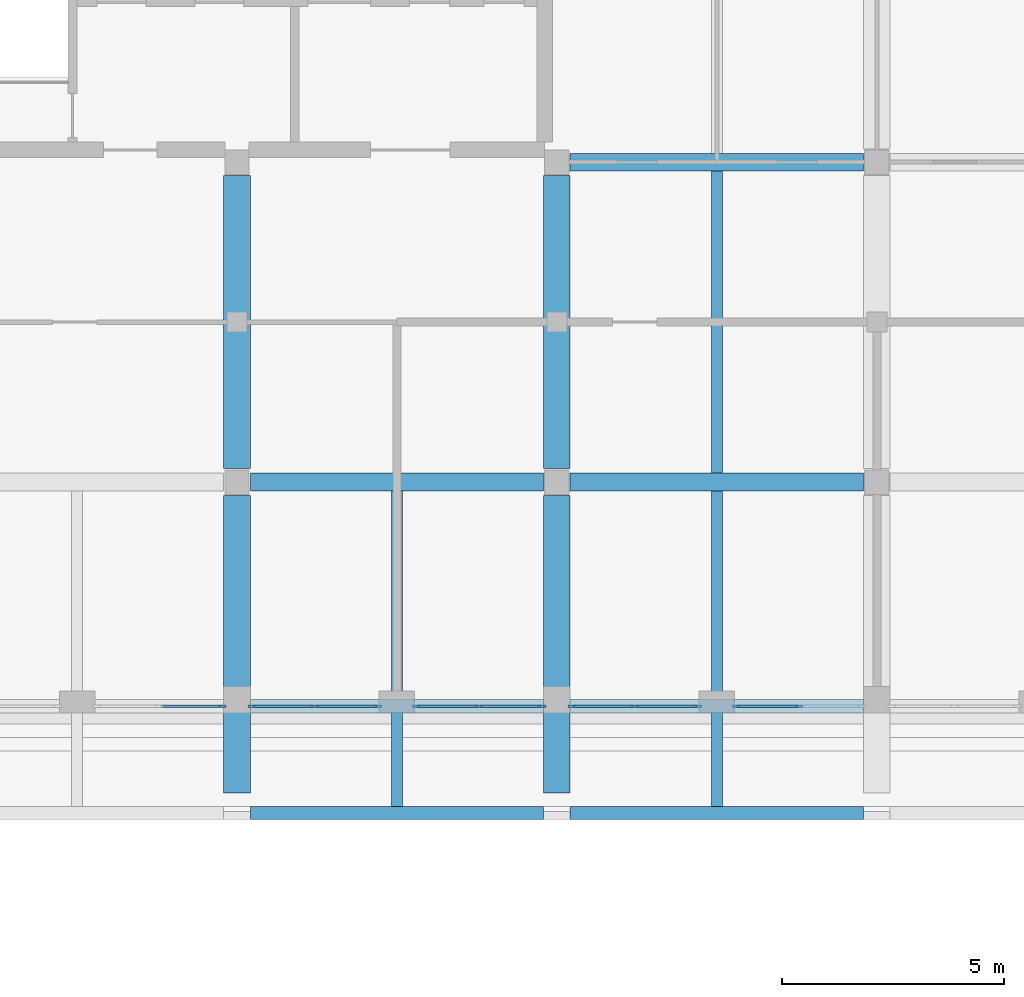
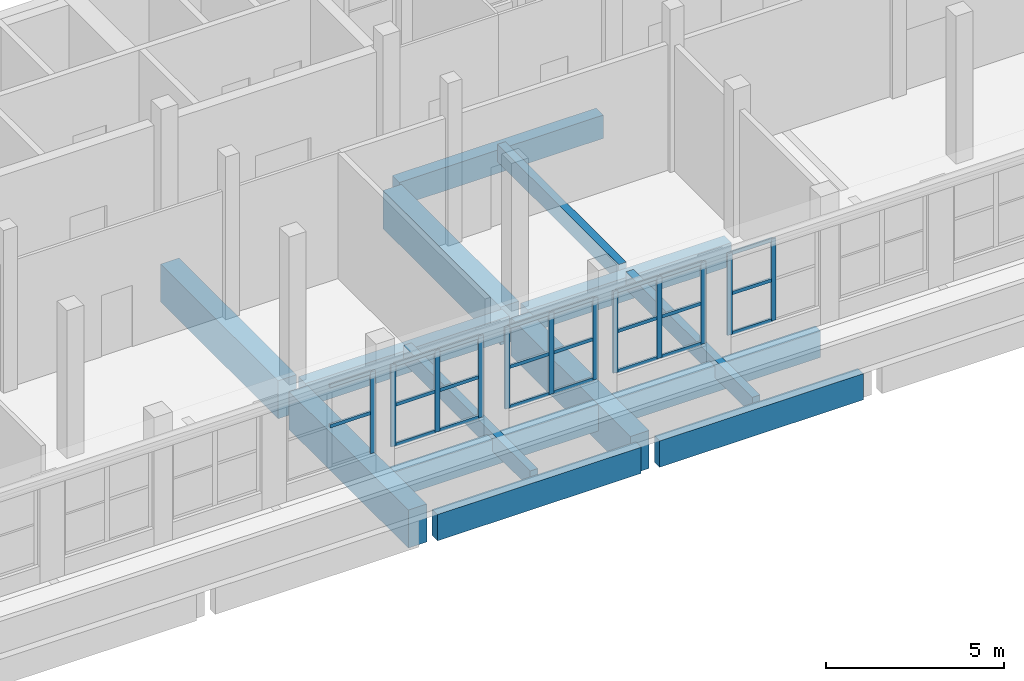
# One storey, part 6 of 30: 35 members, 14 beams, 5 elements without a shape of their own.
"""IFC4 building model written with IfcOpenShell, lengths in metres."""

import ifcopenshell
import ifcopenshell.guid

model = None  # the IFC model being written
_history = None  # IfcOwnerHistory: only IFC2X3 demands one
_inside = {}  # id of a spatial element -> (the spatial element, [elements in it])
_under = {}  # id of a project, library or spatial element -> (it, [spatial elements below it])
_declared = {}  # id of a project -> (the project, [libraries it declares])
_typed = {}  # id of a type object -> (the type object, [elements of that type])
_made_of = {}  # id of a material, layer set ... -> (it, [elements and type objects made of it])


def new_model(schema):
    """Start an empty IFC model of exactly this schema.

    Asked for "IFC4X3", IfcOpenShell would pick the latest addendum, in which some entities
    have other attributes; the version numbers below select the first issue.
    IFC2X3 requires an IfcOwnerHistory on every rooted entity: one is made here for all.
    """
    global model, _history
    if schema == "IFC4X3":
        model = ifcopenshell.file(schema_version=(4, 3, 0, 0))
    else:
        model = ifcopenshell.file(schema=schema)
    _inside.clear()
    _under.clear()
    _declared.clear()
    _typed.clear()
    _made_of.clear()
    _history = None
    if model.schema == "IFC2X3":
        org = make("IfcOrganization", Name="unknown")
        user = make(
            "IfcPersonAndOrganization",
            ThePerson=make("IfcPerson", FamilyName="unknown"),
            TheOrganization=org,
        )
        app = make(
            "IfcApplication",
            ApplicationDeveloper=org,
            Version="unknown",
            ApplicationFullName="unknown",
            ApplicationIdentifier="unknown",
        )
        _history = make(
            "IfcOwnerHistory",
            OwningUser=user,
            OwningApplication=app,
            ChangeAction="ADDED",
            CreationDate=0,
        )
    return model


def make(cls, **values):
    """One entity of the class cls with the attributes given. An attribute that is None is left unset."""
    return model.create_entity(
        cls, **{name: value for name, value in values.items() if value is not None}
    )


def rooted(cls, **values):
    """An entity with a GlobalId (a new one), such as an element, a storey or a relation."""
    return make(cls, GlobalId=ifcopenshell.guid.new(), OwnerHistory=_history, **values)


def si_unit(unit_type, name, prefix=None):
    """IfcSIUnit, for example si_unit("LENGTHUNIT", "METRE", prefix="MILLI")."""
    return make("IfcSIUnit", UnitType=unit_type, Prefix=prefix, Name=name)


def assignment(units):
    """IfcUnitAssignment: the units of a project."""
    return None if units is None else make("IfcUnitAssignment", Units=units)


def point(xyz):
    """IfcCartesianPoint."""
    return None if xyz is None else make("IfcCartesianPoint", Coordinates=xyz)


def direction(xyz):
    """IfcDirection."""
    return None if xyz is None else make("IfcDirection", DirectionRatios=xyz)


def frame(location, z_axis=None, x_axis=None):
    """IfcAxis2Placement3D, a coordinate frame: its origin and axes. An axis left out is left unset."""
    return make(
        "IfcAxis2Placement3D",
        Location=point(location),
        Axis=direction(z_axis),
        RefDirection=direction(x_axis),
    )


def frame_2d(location, x_axis=None):
    """IfcAxis2Placement2D, a coordinate frame in the plane: its origin and x axis."""
    return make(
        "IfcAxis2Placement2D", Location=point(location), RefDirection=direction(x_axis)
    )


def origin():
    """The frame at (0, 0, 0) with its axes left unset."""
    return frame((0.0, 0.0, 0.0))


def origin_2d():
    """The frame at (0, 0) in the plane with its x axis left unset."""
    return frame_2d((0.0, 0.0))


def place(relative_to, where):
    """IfcLocalPlacement: puts the frame where relative to a parent placement (None: the world)."""
    return make(
        "IfcLocalPlacement", PlacementRelTo=relative_to, RelativePlacement=where
    )


def context(
    kind, dimensions, precision=None, world=None, true_north=None, identifier=None
):
    """IfcGeometricRepresentationContext, for example the 3D "Model" context."""
    return make(
        "IfcGeometricRepresentationContext",
        ContextIdentifier=identifier,
        ContextType=kind,
        CoordinateSpaceDimension=dimensions,
        Precision=precision,
        WorldCoordinateSystem=world,
        TrueNorth=true_north,
    )


def subcontext(parent, identifier, kind, view, scale=None):
    """IfcGeometricRepresentationSubContext, for example "Body" below "Model"."""
    return make(
        "IfcGeometricRepresentationSubContext",
        ContextIdentifier=identifier,
        ContextType=kind,
        ParentContext=parent,
        TargetScale=scale,
        TargetView=view,
    )


def project(units=None, contexts=None):
    """IfcProject with its units and contexts."""
    return rooted(
        "IfcProject",
        Name="project",
        RepresentationContexts=contexts,
        UnitsInContext=assignment(units),
    )


def spatial(cls, under=None, at=None, **own):
    """A site, building, storey or space (cls), placed at a placement, below another one or the project."""
    s = rooted(cls, ObjectPlacement=at, **own)
    if under is not None:
        _under.setdefault(under.id(), (under, []))[1].append(s)
    return s


def profile(cls, at=None, kind="AREA", **sizes):
    """A parametric profile (cls). Its sizes go by their IFC names, for example OverallWidth=200.0."""
    return make(cls, ProfileType=kind, Position=at, **sizes)


def rectangle(**sizes):
    """IfcRectangleProfileDef."""
    return profile("IfcRectangleProfileDef", **sizes)


def extrude(swept, where, along, depth):
    """IfcExtrudedAreaSolid: the profile swept, set in the frame where, extruded along a direction by depth."""
    return make(
        "IfcExtrudedAreaSolid",
        SweptArea=swept,
        Position=where,
        ExtrudedDirection=direction(along),
        Depth=depth,
    )


def shape(context_of_items, identifier, shape_type, items):
    """IfcShapeRepresentation: the items that make up one representation, for example the "Body"."""
    return make(
        "IfcShapeRepresentation",
        ContextOfItems=context_of_items,
        RepresentationIdentifier=identifier,
        RepresentationType=shape_type,
        Items=items,
    )


def material(Name=None, Category=None):
    """IfcMaterial."""
    return make("IfcMaterial", Name=Name, Category=Category)


def layer(
    of_material, thickness, ventilated=None, Name=None, Category=None, Priority=None
):
    """IfcMaterialLayer: one layer of a wall or slab, of a material (None: an air gap)."""
    return make(
        "IfcMaterialLayer",
        Material=of_material,
        LayerThickness=thickness,
        IsVentilated=ventilated,
        Name=Name,
        Category=Category,
        Priority=Priority,
    )


def layer_set(layers, Name=None):
    """IfcMaterialLayerSet."""
    return make("IfcMaterialLayerSet", MaterialLayers=layers, LayerSetName=Name)


def material_profile(
    of_material, cross_section, Name=None, Category=None, Priority=None
):
    """IfcMaterialProfile: a cross section and its material."""
    return make(
        "IfcMaterialProfile",
        Name=Name,
        Material=of_material,
        Profile=cross_section,
        Priority=Priority,
        Category=Category,
    )


def profile_set(profiles, Name=None, composite=None):
    """IfcMaterialProfileSet."""
    return make(
        "IfcMaterialProfileSet",
        Name=Name,
        MaterialProfiles=profiles,
        CompositeProfile=composite,
    )


def made_of(thing, what):
    """Note that an element or type object is made of a material, layer set ...; save() writes the relation."""
    if what is not None:
        _made_of.setdefault(what.id(), (what, []))[1].append(thing)
    return thing


def type_object(cls, material=None, **own):
    """A type object (cls), such as IfcWallType, which elements share."""
    return made_of(rooted(cls, **own), material)


def element(
    cls,
    number,
    at=None,
    inside=None,
    cuts=None,
    type_object=None,
    material=None,
    context=None,
    identifier="Body",
    shape_type=None,
    held_by="IfcProductDefinitionShape",
    body=None,
    shapes=None,
    **own,
):
    """One element of the class cls, such as IfcWall. Its Tag is "e" and its number.

    at: its placement. inside: the storey or other place that contains it. cuts: it is an
    opening in that element (IfcRelVoidsElement). A single representation is given by context,
    identifier, shape_type and body (its items); several are given by shapes. held_by: the class
    of the entity that holds the representations. save() writes the other relations.
    """
    e = rooted(cls, Tag="e%d" % number, ObjectPlacement=at, **own)
    if body is not None:
        shapes = [shape(context, identifier, shape_type, body)]
    if shapes is not None:
        e.Representation = make(held_by, Representations=shapes)
    if inside is not None:
        _inside.setdefault(inside.id(), (inside, []))[1].append(e)
    if cuts is not None:
        rooted(
            "IfcRelVoidsElement", RelatingBuildingElement=cuts, RelatedOpeningElement=e
        )
    if type_object is not None:
        _typed.setdefault(type_object.id(), (type_object, []))[1].append(e)
    return made_of(e, material)


def aggregate(whole, parts):
    """IfcRelAggregates: a whole, such as a stair, and the parts it consists of."""
    return rooted("IfcRelAggregates", RelatingObject=whole, RelatedObjects=parts)


def save(model, path):
    """Write the relations noted so far, then the file.

    IfcRelAggregates (storeys below a building ...), IfcRelContainedInSpatialStructure (elements
    in a storey), IfcRelDefinesByType, IfcRelAssociatesMaterial and IfcRelDeclares: one each for
    every whole, place, type object, material and project.
    """
    for whole, parts in _under.values():
        aggregate(whole, parts)
    for where, things in _inside.values():
        rooted(
            "IfcRelContainedInSpatialStructure",
            RelatedElements=things,
            RelatingStructure=where,
        )
    for kind, things in _typed.values():
        rooted("IfcRelDefinesByType", RelatedObjects=things, RelatingType=kind)
    for what, things in _made_of.values():
        rooted("IfcRelAssociatesMaterial", RelatedObjects=things, RelatingMaterial=what)
    for by, libraries in _declared.values():
        rooted("IfcRelDeclares", RelatingContext=by, RelatedDefinitions=libraries)
    model.write(path)


model = new_model("IFC4")

# Units and contexts
model_context = context("Model", 3, precision=1e-05, world=origin(), true_north=direction((0.0, 1.0)))
body_context = subcontext(model_context, "Body", "Model", "MODEL_VIEW")
ifc_project = project(units=[si_unit("LENGTHUNIT", "METRE"), si_unit("AREAUNIT", "SQUARE_METRE"), si_unit("VOLUMEUNIT", "CUBIC_METRE"), si_unit("PLANEANGLEUNIT", "RADIAN"), si_unit("MASSUNIT", "GRAM", prefix="KILO")], contexts=[model_context])

# Site, building, storey
site_placement = place(None, origin())
site = spatial("IfcSite", under=ifc_project, at=site_placement, CompositionType="ELEMENT")
building_placement = place(site_placement, origin())
building = spatial("IfcBuilding", under=site, at=building_placement, Name="Ussher Court Research Institute", CompositionType="ELEMENT")
storey_placement = place(building_placement, frame((0.0, 0.0, 27.89990234375)))
storey = spatial("IfcBuildingStorey", under=building, at=storey_placement, Name="L06", CompositionType="ELEMENT", Elevation=27.89990234375)

# Curtain wall, members
ifc_material_1 = material(Name="Bronze anodised aluminium with insulated low-e glass", Category="aluminium")
ifc_layer = layer(ifc_material_1, 0.1201171875)
ifc_layer_set = layer_set([ifc_layer], Name="Bronze anodised aluminium with insulated low-e glass")
curtain_wall_type = type_object("IfcCurtainWallType", Name="Curtain wall attic gallery glazing", PredefinedType="NOTDEFINED", material=ifc_layer_set)
curtain_wall_1_placement = place(storey_placement, origin())
curtain_wall_1 = element("IfcCurtainWall", 1, at=curtain_wall_1_placement, inside=storey, type_object=curtain_wall_type, Name="Curtain wall CW11 L06", PredefinedType="NOTDEFINED")
ifc_material_2 = material(Name="Bronze anodised aluminium", Category="aluminium")
ifc_material_profile_1 = material_profile(ifc_material_2, rectangle(XDim=0.06005859375, YDim=0.159912109375, at=origin_2d()), Name="Mullion 60x160")
ifc_profile_set_1 = profile_set([ifc_material_profile_1], Name="Bronze anodised aluminium")
member_type_1 = type_object("IfcMemberType", Name="Mullion 60x160", PredefinedType="MULLION", material=ifc_profile_set_1)
member_1_placement = place(storey_placement, frame((66.050048828125, 70.949951171875, 0.60009765625), z_axis=(0.0, 0.0, 1.0), x_axis=(0.0, -1.0, 0.0)))
member_1 = element("IfcMember", 2, at=member_1_placement, type_object=member_type_1, Name="CW11 mullion 2", PredefinedType="MULLION", context=body_context, shape_type="SweptSolid", body=[
    extrude(rectangle(XDim=0.06005859375, YDim=0.159912109375, at=origin_2d()), origin(), (0.0, 0.0, 1.0), 2.800048828125),
])
member_2_placement = place(storey_placement, frame((64.6298828125, 70.949951171875, 0.60009765625), z_axis=(0.0, 0.0, 1.0), x_axis=(0.0, -1.0, 0.0)))
member_2 = element("IfcMember", 3, at=member_2_placement, type_object=member_type_1, Name="CW11 mullion 3", PredefinedType="MULLION", context=body_context, shape_type="SweptSolid", body=[
    extrude(rectangle(XDim=0.06005859375, YDim=0.159912109375, at=origin_2d()), origin(), (0.0, 0.0, 1.0), 2.800048828125),
])

curtain_wall_2_placement = place(storey_placement, origin())
curtain_wall_2 = element("IfcCurtainWall", 4, at=curtain_wall_2_placement, inside=storey, type_object=curtain_wall_type, Name="Curtain wall CW11 L06", PredefinedType="NOTDEFINED")
member_3_placement = place(storey_placement, frame((63.77001953125, 70.949951171875, 0.60009765625), z_axis=(0.0, 0.0, 1.0), x_axis=(0.0, -1.0, 0.0)))
member_3 = element("IfcMember", 5, at=member_3_placement, type_object=member_type_1, Name="CW11 mullion 1", PredefinedType="MULLION", context=body_context, shape_type="SweptSolid", body=[
    extrude(rectangle(XDim=0.06005859375, YDim=0.159912109375, at=origin_2d()), origin(), (0.0, 0.0, 1.0), 2.800048828125),
])
member_4_placement = place(storey_placement, frame((62.35009765625, 70.949951171875, 0.60009765625), z_axis=(0.0, 0.0, 1.0), x_axis=(0.0, -1.0, 0.0)))
member_4 = element("IfcMember", 6, at=member_4_placement, type_object=member_type_1, Name="CW11 mullion 2", PredefinedType="MULLION", context=body_context, shape_type="SweptSolid", body=[
    extrude(rectangle(XDim=0.06005859375, YDim=0.159912109375, at=origin_2d()), origin(), (0.0, 0.0, 1.0), 2.800048828125),
])
member_5_placement = place(storey_placement, frame((60.929931640625, 70.949951171875, 0.60009765625), z_axis=(0.0, 0.0, 1.0), x_axis=(0.0, -1.0, 0.0)))
member_5 = element("IfcMember", 7, at=member_5_placement, type_object=member_type_1, Name="CW11 mullion 3", PredefinedType="MULLION", context=body_context, shape_type="SweptSolid", body=[
    extrude(rectangle(XDim=0.06005859375, YDim=0.159912109375, at=origin_2d()), origin(), (0.0, 0.0, 1.0), 2.800048828125),
])

curtain_wall_3_placement = place(storey_placement, origin())
curtain_wall_3 = element("IfcCurtainWall", 8, at=curtain_wall_3_placement, inside=storey, type_object=curtain_wall_type, Name="Curtain wall CW11 L06", PredefinedType="NOTDEFINED")
member_6_placement = place(storey_placement, frame((60.27001953125, 70.949951171875, 0.60009765625), z_axis=(0.0, 0.0, 1.0), x_axis=(0.0, -1.0, 0.0)))
member_6 = element("IfcMember", 9, at=member_6_placement, type_object=member_type_1, Name="CW11 mullion 1", PredefinedType="MULLION", context=body_context, shape_type="SweptSolid", body=[
    extrude(rectangle(XDim=0.06005859375, YDim=0.159912109375, at=origin_2d()), origin(), (0.0, 0.0, 1.0), 2.800048828125),
])
member_7_placement = place(storey_placement, frame((58.85009765625, 70.949951171875, 0.60009765625), z_axis=(0.0, 0.0, 1.0), x_axis=(0.0, -1.0, 0.0)))
member_7 = element("IfcMember", 10, at=member_7_placement, type_object=member_type_1, Name="CW11 mullion 2", PredefinedType="MULLION", context=body_context, shape_type="SweptSolid", body=[
    extrude(rectangle(XDim=0.06005859375, YDim=0.159912109375, at=origin_2d()), origin(), (0.0, 0.0, 1.0), 2.800048828125),
])
member_8_placement = place(storey_placement, frame((57.429931640625, 70.949951171875, 0.60009765625), z_axis=(0.0, 0.0, 1.0), x_axis=(0.0, -1.0, 0.0)))
member_8 = element("IfcMember", 11, at=member_8_placement, type_object=member_type_1, Name="CW11 mullion 3", PredefinedType="MULLION", context=body_context, shape_type="SweptSolid", body=[
    extrude(rectangle(XDim=0.06005859375, YDim=0.159912109375, at=origin_2d()), origin(), (0.0, 0.0, 1.0), 2.800048828125),
])

curtain_wall_4_placement = place(storey_placement, origin())
curtain_wall_4 = element("IfcCurtainWall", 12, at=curtain_wall_4_placement, inside=storey, type_object=curtain_wall_type, Name="Curtain wall CW11 L06", PredefinedType="NOTDEFINED")
member_9_placement = place(storey_placement, frame((56.570068359375, 70.949951171875, 0.60009765625), z_axis=(0.0, 0.0, 1.0), x_axis=(0.0, -1.0, 0.0)))
member_9 = element("IfcMember", 13, at=member_9_placement, type_object=member_type_1, Name="CW11 mullion 1", PredefinedType="MULLION", context=body_context, shape_type="SweptSolid", body=[
    extrude(rectangle(XDim=0.06005859375, YDim=0.159912109375, at=origin_2d()), origin(), (0.0, 0.0, 1.0), 2.800048828125),
])
member_10_placement = place(storey_placement, frame((55.14990234375, 70.949951171875, 0.60009765625), z_axis=(0.0, 0.0, 1.0), x_axis=(0.0, -1.0, 0.0)))
member_10 = element("IfcMember", 14, at=member_10_placement, type_object=member_type_1, Name="CW11 mullion 2", PredefinedType="MULLION", context=body_context, shape_type="SweptSolid", body=[
    extrude(rectangle(XDim=0.06005859375, YDim=0.159912109375, at=origin_2d()), origin(), (0.0, 0.0, 1.0), 2.800048828125),
])
member_11_placement = place(storey_placement, frame((53.72998046875, 70.949951171875, 0.60009765625), z_axis=(0.0, 0.0, 1.0), x_axis=(0.0, -1.0, 0.0)))
member_11 = element("IfcMember", 15, at=member_11_placement, type_object=member_type_1, Name="CW11 mullion 3", PredefinedType="MULLION", context=body_context, shape_type="SweptSolid", body=[
    extrude(rectangle(XDim=0.06005859375, YDim=0.159912109375, at=origin_2d()), origin(), (0.0, 0.0, 1.0), 2.800048828125),
])

# Curtain wall, member
curtain_wall_5_placement = place(storey_placement, origin())
curtain_wall_5 = element("IfcCurtainWall", 16, at=curtain_wall_5_placement, inside=storey, type_object=curtain_wall_type, Name="Curtain wall CW11 L06", PredefinedType="NOTDEFINED")
member_12_placement = place(storey_placement, frame((53.070068359375, 70.949951171875, 0.60009765625), z_axis=(0.0, 0.0, 1.0), x_axis=(0.0, -1.0, 0.0)))
member_12 = element("IfcMember", 17, at=member_12_placement, type_object=member_type_1, Name="CW11 mullion 1", PredefinedType="MULLION", context=body_context, shape_type="SweptSolid", body=[
    extrude(rectangle(XDim=0.06005859375, YDim=0.159912109375, at=origin_2d()), origin(), (0.0, 0.0, 1.0), 2.800048828125),
])

# Beams
ifc_material_3 = material(Name="Concrete C35/45", Category="concrete")
ifc_material_profile_2 = material_profile(ifc_material_3, rectangle(XDim=0.25, YDim=0.60009765625, at=origin_2d()), Name="RC 250x600")
ifc_profile_set_2 = profile_set([ifc_material_profile_2], Name="Concrete C35/45")
beam_type_1 = type_object("IfcBeamType", Name="RC 250x600 beam", PredefinedType="BEAM", material=ifc_profile_set_2)
for number, where, z_axis, x_axis, name in (
    (18, (57.0, 68.699951171875, -0.2998046875), (0.0, 1.0, 0.0), (-1.0, 0.0, 0.0), "B14 V5 L06-18"),
    (19, (64.199951171875, 68.699951171875, -0.2998046875), (0.0, 1.0, 0.0), (-1.0, 0.0, 0.0), "B14 V5 L06-19"),
):
    element("IfcBeam", number, at=place(storey_placement, frame(where, z_axis=z_axis, x_axis=x_axis)), inside=storey, type_object=beam_type_1, Name=name, PredefinedType="BEAM", context=body_context, shape_type="SweptSolid", body=[
        extrude(rectangle(XDim=0.25, YDim=0.60009765625, at=origin_2d()), origin(), (0.0, 0.0, 1.0), 7.10009765625),
    ])
beam_1_placement = place(storey_placement, frame((64.199951171875, 76.199951171875, -0.2998046875), z_axis=(0.0, 1.0, 0.0), x_axis=(-1.0, 0.0, 0.0)))
element("IfcBeam", 20, at=beam_1_placement, inside=storey, type_object=beam_type_1, Name="B14 V5 L06-20", PredefinedType="BEAM", context=body_context, shape_type="SweptSolid", body=[
    extrude(rectangle(XDim=0.25, YDim=0.60009765625, at=origin_2d()), origin(), (0.0, 0.0, 1.0), 6.800048828125),
])
ifc_material_4 = material(Name="Concrete C35/45", Category="concrete")
ifc_material_profile_3 = material_profile(ifc_material_4, rectangle(XDim=0.300048828125, YDim=0.89990234375, at=origin_2d()), Name="RC 300x900")
ifc_profile_set_3 = profile_set([ifc_material_profile_3], Name="Concrete C35/45")
beam_type_2 = type_object("IfcBeamType", Name="RC 300x900 beam", PredefinedType="BEAM", material=ifc_profile_set_3)
for number, where, z_axis, x_axis, name in (
    (21, (53.699951171875, 68.550048828125, -0.64990234375), (1.0, 0.0, 0.0), (0.0, 1.0, 0.0), "SB2 V5 L06-08"),
    (22, (60.89990234375, 68.550048828125, -0.64990234375), (1.0, 0.0, 0.0), (0.0, 1.0, 0.0), "SB2 V5 L06-09"),
    (23, (53.699951171875, 70.949951171875, -0.64990234375), (1.0, 0.0, 0.0), (0.0, 1.0, 0.0), "SB2 V5 L06-30"),
    (24, (60.89990234375, 70.949951171875, -0.64990234375), (1.0, 0.0, 0.0), (0.0, 1.0, 0.0), "SB2 V5 L06-31"),
):
    element("IfcBeam", number, at=place(storey_placement, frame(where, z_axis=z_axis, x_axis=x_axis)), inside=storey, type_object=beam_type_2, Name=name, PredefinedType="BEAM", context=body_context, shape_type="SweptSolid", body=[
        extrude(rectangle(XDim=0.300048828125, YDim=0.89990234375, at=origin_2d()), origin(), (0.0, 0.0, 1.0), 6.60009765625),
    ])
ifc_material_5 = material(Name="Concrete C35/45", Category="concrete")
ifc_material_profile_4 = material_profile(ifc_material_5, rectangle(XDim=0.39990234375, YDim=0.800048828125, at=origin_2d()), Name="RC 400x800")
ifc_profile_set_4 = profile_set([ifc_material_profile_4], Name="Concrete C35/45")
beam_type_3 = type_object("IfcBeamType", Name="RC 400x800 beam", PredefinedType="BEAM", material=ifc_profile_set_4)
for number, where, z_axis, x_axis, name in (
    (25, (53.699951171875, 76.0, -0.599853515625), (1.0, 0.0, 0.0), (0.0, 1.0, 0.0), "B17 V5 L06-08"),
    (26, (60.89990234375, 76.0, -0.599853515625), (1.0, 0.0, 0.0), (0.0, 1.0, 0.0), "B17 V5 L06-09"),
    (27, (60.89990234375, 83.199951171875, -0.599853515625), (1.0, 0.0, 0.0), (0.0, 1.0, 0.0), "B17 V5 L06-17"),
):
    element("IfcBeam", number, at=place(storey_placement, frame(where, z_axis=z_axis, x_axis=x_axis)), inside=storey, type_object=beam_type_3, Name=name, PredefinedType="BEAM", context=body_context, shape_type="SweptSolid", body=[
        extrude(rectangle(XDim=0.39990234375, YDim=0.800048828125, at=origin_2d()), origin(), (0.0, 0.0, 1.0), 6.60009765625),
    ])
ifc_material_6 = material(Name="Concrete C35/45", Category="concrete")
ifc_material_profile_5 = material_profile(ifc_material_6, rectangle(XDim=0.60009765625, YDim=1.300048828125, at=origin_2d()), Name="RC 600x1300")
ifc_profile_set_5 = profile_set([ifc_material_profile_5], Name="Concrete C35/45")
beam_type_4 = type_object("IfcBeamType", Name="RC 600x1300 beam", PredefinedType="BEAM", material=ifc_profile_set_5)
beam_2_placement = place(storey_placement, frame((53.39990234375, 69.0, -0.849853515625), z_axis=(0.0, 1.0, 0.0), x_axis=(-1.0, 0.0, 0.0)))
element("IfcBeam", 28, at=beam_2_placement, inside=storey, type_object=beam_type_4, Name="TB1 V5 L06-19", PredefinedType="BEAM", context=body_context, shape_type="SweptSolid", body=[
    extrude(rectangle(XDim=0.60009765625, YDim=1.300048828125, at=origin_2d()), origin(), (0.0, 0.0, 1.0), 6.699951171875),
])
beam_3_placement = place(storey_placement, frame((53.39990234375, 76.300048828125, -0.849853515625), z_axis=(0.0, 1.0, 0.0), x_axis=(-1.0, 0.0, 0.0)))
element("IfcBeam", 29, at=beam_3_placement, inside=storey, type_object=beam_type_4, Name="TB1 V5 L06-20", PredefinedType="BEAM", context=body_context, shape_type="SweptSolid", body=[
    extrude(rectangle(XDim=0.60009765625, YDim=1.300048828125, at=origin_2d()), origin(), (0.0, 0.0, 1.0), 6.599853515625),
])
beam_4_placement = place(storey_placement, frame((60.60009765625, 69.0, -0.849853515625), z_axis=(0.0, 1.0, 0.0), x_axis=(-1.0, 0.0, 0.0)))
element("IfcBeam", 30, at=beam_4_placement, inside=storey, type_object=beam_type_4, Name="TB1 V5 L06-21", PredefinedType="BEAM", context=body_context, shape_type="SweptSolid", body=[
    extrude(rectangle(XDim=0.60009765625, YDim=1.300048828125, at=origin_2d()), origin(), (0.0, 0.0, 1.0), 6.699951171875),
])
beam_5_placement = place(storey_placement, frame((60.60009765625, 76.300048828125, -0.849853515625), z_axis=(0.0, 1.0, 0.0), x_axis=(-1.0, 0.0, 0.0)))
element("IfcBeam", 31, at=beam_5_placement, inside=storey, type_object=beam_type_4, Name="TB1 V5 L06-22", PredefinedType="BEAM", context=body_context, shape_type="SweptSolid", body=[
    extrude(rectangle(XDim=0.60009765625, YDim=1.300048828125, at=origin_2d()), origin(), (0.0, 0.0, 1.0), 6.599853515625),
])

# Member
ifc_material_7 = material(Name="Bronze anodised aluminium", Category="aluminium")
ifc_material_profile_6 = material_profile(ifc_material_7, rectangle(XDim=0.06005859375, YDim=0.1201171875, at=origin_2d()), Name="Transom 60x120")
ifc_profile_set_6 = profile_set([ifc_material_profile_6], Name="Bronze anodised aluminium")
member_type_2 = type_object("IfcMemberType", Name="Transom 60x120", PredefinedType="USERDEFINED", material=ifc_profile_set_6)
member_13_placement = place(storey_placement, frame((66.02001953125, 70.949951171875, 0.630126953125), z_axis=(-1.0, 0.0, 0.0), x_axis=(0.0, -1.0, 0.0)))
member_13 = element("IfcMember", 32, at=member_13_placement, type_object=member_type_2, Name="CW11 transom 2.1", ObjectType="TRANSOM", PredefinedType="USERDEFINED", context=body_context, shape_type="SweptSolid", body=[
    extrude(rectangle(XDim=0.06005859375, YDim=0.1201171875, at=origin_2d()), origin(), (0.0, 0.0, 1.0), 1.360107421875),
])

member_14_placement = place(storey_placement, frame((66.02001953125, 70.949951171875, 2.0), z_axis=(-1.0, 0.0, 0.0), x_axis=(0.0, -1.0, 0.0)))
member_14 = element("IfcMember", 33, at=member_14_placement, type_object=member_type_2, Name="CW11 transom 2.2", ObjectType="TRANSOM", PredefinedType="USERDEFINED", context=body_context, shape_type="SweptSolid", body=[
    extrude(rectangle(XDim=0.06005859375, YDim=0.1201171875, at=origin_2d()), origin(), (0.0, 0.0, 1.0), 1.360107421875),
])

member_15_placement = place(storey_placement, frame((66.02001953125, 70.949951171875, 3.3701171875), z_axis=(-1.0, 0.0, 0.0), x_axis=(0.0, -1.0, 0.0)))
member_15 = element("IfcMember", 34, at=member_15_placement, type_object=member_type_2, Name="CW11 transom 2.3", ObjectType="TRANSOM", PredefinedType="USERDEFINED", context=body_context, shape_type="SweptSolid", body=[
    extrude(rectangle(XDim=0.06005859375, YDim=0.1201171875, at=origin_2d()), origin(), (0.0, 0.0, 1.0), 1.360107421875),
])

aggregate(curtain_wall_1, [member_1, member_2, member_13, member_14, member_15])

member_16_placement = place(storey_placement, frame((63.739990234375, 70.949951171875, 0.630126953125), z_axis=(-1.0, 0.0, 0.0), x_axis=(0.0, -1.0, 0.0)))
member_16 = element("IfcMember", 35, at=member_16_placement, type_object=member_type_2, Name="CW11 transom 1.1", ObjectType="TRANSOM", PredefinedType="USERDEFINED", context=body_context, shape_type="SweptSolid", body=[
    extrude(rectangle(XDim=0.06005859375, YDim=0.1201171875, at=origin_2d()), origin(), (0.0, 0.0, 1.0), 1.360107421875),
])

member_17_placement = place(storey_placement, frame((63.739990234375, 70.949951171875, 2.0), z_axis=(-1.0, 0.0, 0.0), x_axis=(0.0, -1.0, 0.0)))
member_17 = element("IfcMember", 36, at=member_17_placement, type_object=member_type_2, Name="CW11 transom 1.2", ObjectType="TRANSOM", PredefinedType="USERDEFINED", context=body_context, shape_type="SweptSolid", body=[
    extrude(rectangle(XDim=0.06005859375, YDim=0.1201171875, at=origin_2d()), origin(), (0.0, 0.0, 1.0), 1.360107421875),
])

member_18_placement = place(storey_placement, frame((63.739990234375, 70.949951171875, 3.3701171875), z_axis=(-1.0, 0.0, 0.0), x_axis=(0.0, -1.0, 0.0)))
member_18 = element("IfcMember", 37, at=member_18_placement, type_object=member_type_2, Name="CW11 transom 1.3", ObjectType="TRANSOM", PredefinedType="USERDEFINED", context=body_context, shape_type="SweptSolid", body=[
    extrude(rectangle(XDim=0.06005859375, YDim=0.1201171875, at=origin_2d()), origin(), (0.0, 0.0, 1.0), 1.360107421875),
])

member_19_placement = place(storey_placement, frame((62.320068359375, 70.949951171875, 0.630126953125), z_axis=(-1.0, 0.0, 0.0), x_axis=(0.0, -1.0, 0.0)))
member_19 = element("IfcMember", 38, at=member_19_placement, type_object=member_type_2, Name="CW11 transom 2.1", ObjectType="TRANSOM", PredefinedType="USERDEFINED", context=body_context, shape_type="SweptSolid", body=[
    extrude(rectangle(XDim=0.06005859375, YDim=0.1201171875, at=origin_2d()), origin(), (0.0, 0.0, 1.0), 1.360107421875),
])

member_20_placement = place(storey_placement, frame((62.320068359375, 70.949951171875, 2.0), z_axis=(-1.0, 0.0, 0.0), x_axis=(0.0, -1.0, 0.0)))
member_20 = element("IfcMember", 39, at=member_20_placement, type_object=member_type_2, Name="CW11 transom 2.2", ObjectType="TRANSOM", PredefinedType="USERDEFINED", context=body_context, shape_type="SweptSolid", body=[
    extrude(rectangle(XDim=0.06005859375, YDim=0.1201171875, at=origin_2d()), origin(), (0.0, 0.0, 1.0), 1.360107421875),
])

member_21_placement = place(storey_placement, frame((62.320068359375, 70.949951171875, 3.3701171875), z_axis=(-1.0, 0.0, 0.0), x_axis=(0.0, -1.0, 0.0)))
member_21 = element("IfcMember", 40, at=member_21_placement, type_object=member_type_2, Name="CW11 transom 2.3", ObjectType="TRANSOM", PredefinedType="USERDEFINED", context=body_context, shape_type="SweptSolid", body=[
    extrude(rectangle(XDim=0.06005859375, YDim=0.1201171875, at=origin_2d()), origin(), (0.0, 0.0, 1.0), 1.360107421875),
])

aggregate(curtain_wall_2, [member_3, member_4, member_5, member_16, member_17, member_18, member_19, member_20, member_21])

member_22_placement = place(storey_placement, frame((60.239990234375, 70.949951171875, 0.630126953125), z_axis=(-1.0, 0.0, 0.0), x_axis=(0.0, -1.0, 0.0)))
member_22 = element("IfcMember", 41, at=member_22_placement, type_object=member_type_2, Name="CW11 transom 1.1", ObjectType="TRANSOM", PredefinedType="USERDEFINED", context=body_context, shape_type="SweptSolid", body=[
    extrude(rectangle(XDim=0.06005859375, YDim=0.1201171875, at=origin_2d()), origin(), (0.0, 0.0, 1.0), 1.360107421875),
])

member_23_placement = place(storey_placement, frame((60.239990234375, 70.949951171875, 2.0), z_axis=(-1.0, 0.0, 0.0), x_axis=(0.0, -1.0, 0.0)))
member_23 = element("IfcMember", 42, at=member_23_placement, type_object=member_type_2, Name="CW11 transom 1.2", ObjectType="TRANSOM", PredefinedType="USERDEFINED", context=body_context, shape_type="SweptSolid", body=[
    extrude(rectangle(XDim=0.06005859375, YDim=0.1201171875, at=origin_2d()), origin(), (0.0, 0.0, 1.0), 1.360107421875),
])

member_24_placement = place(storey_placement, frame((60.239990234375, 70.949951171875, 3.3701171875), z_axis=(-1.0, 0.0, 0.0), x_axis=(0.0, -1.0, 0.0)))
member_24 = element("IfcMember", 43, at=member_24_placement, type_object=member_type_2, Name="CW11 transom 1.3", ObjectType="TRANSOM", PredefinedType="USERDEFINED", context=body_context, shape_type="SweptSolid", body=[
    extrude(rectangle(XDim=0.06005859375, YDim=0.1201171875, at=origin_2d()), origin(), (0.0, 0.0, 1.0), 1.360107421875),
])

member_25_placement = place(storey_placement, frame((58.820068359375, 70.949951171875, 0.630126953125), z_axis=(-1.0, 0.0, 0.0), x_axis=(0.0, -1.0, 0.0)))
member_25 = element("IfcMember", 44, at=member_25_placement, type_object=member_type_2, Name="CW11 transom 2.1", ObjectType="TRANSOM", PredefinedType="USERDEFINED", context=body_context, shape_type="SweptSolid", body=[
    extrude(rectangle(XDim=0.06005859375, YDim=0.1201171875, at=origin_2d()), origin(), (0.0, 0.0, 1.0), 1.360107421875),
])

member_26_placement = place(storey_placement, frame((58.820068359375, 70.949951171875, 2.0), z_axis=(-1.0, 0.0, 0.0), x_axis=(0.0, -1.0, 0.0)))
member_26 = element("IfcMember", 45, at=member_26_placement, type_object=member_type_2, Name="CW11 transom 2.2", ObjectType="TRANSOM", PredefinedType="USERDEFINED", context=body_context, shape_type="SweptSolid", body=[
    extrude(rectangle(XDim=0.06005859375, YDim=0.1201171875, at=origin_2d()), origin(), (0.0, 0.0, 1.0), 1.360107421875),
])

member_27_placement = place(storey_placement, frame((58.820068359375, 70.949951171875, 3.3701171875), z_axis=(-1.0, 0.0, 0.0), x_axis=(0.0, -1.0, 0.0)))
member_27 = element("IfcMember", 46, at=member_27_placement, type_object=member_type_2, Name="CW11 transom 2.3", ObjectType="TRANSOM", PredefinedType="USERDEFINED", context=body_context, shape_type="SweptSolid", body=[
    extrude(rectangle(XDim=0.06005859375, YDim=0.1201171875, at=origin_2d()), origin(), (0.0, 0.0, 1.0), 1.360107421875),
])

aggregate(curtain_wall_3, [member_6, member_7, member_8, member_22, member_23, member_24, member_25, member_26, member_27])

member_28_placement = place(storey_placement, frame((56.5400390625, 70.949951171875, 0.630126953125), z_axis=(-1.0, 0.0, 0.0), x_axis=(0.0, -1.0, 0.0)))
member_28 = element("IfcMember", 47, at=member_28_placement, type_object=member_type_2, Name="CW11 transom 1.1", ObjectType="TRANSOM", PredefinedType="USERDEFINED", context=body_context, shape_type="SweptSolid", body=[
    extrude(rectangle(XDim=0.06005859375, YDim=0.1201171875, at=origin_2d()), origin(), (0.0, 0.0, 1.0), 1.360107421875),
])

member_29_placement = place(storey_placement, frame((56.5400390625, 70.949951171875, 2.0), z_axis=(-1.0, 0.0, 0.0), x_axis=(0.0, -1.0, 0.0)))
member_29 = element("IfcMember", 48, at=member_29_placement, type_object=member_type_2, Name="CW11 transom 1.2", ObjectType="TRANSOM", PredefinedType="USERDEFINED", context=body_context, shape_type="SweptSolid", body=[
    extrude(rectangle(XDim=0.06005859375, YDim=0.1201171875, at=origin_2d()), origin(), (0.0, 0.0, 1.0), 1.360107421875),
])

member_30_placement = place(storey_placement, frame((56.5400390625, 70.949951171875, 3.3701171875), z_axis=(-1.0, 0.0, 0.0), x_axis=(0.0, -1.0, 0.0)))
member_30 = element("IfcMember", 49, at=member_30_placement, type_object=member_type_2, Name="CW11 transom 1.3", ObjectType="TRANSOM", PredefinedType="USERDEFINED", context=body_context, shape_type="SweptSolid", body=[
    extrude(rectangle(XDim=0.06005859375, YDim=0.1201171875, at=origin_2d()), origin(), (0.0, 0.0, 1.0), 1.360107421875),
])

member_31_placement = place(storey_placement, frame((55.1201171875, 70.949951171875, 0.630126953125), z_axis=(-1.0, 0.0, 0.0), x_axis=(0.0, -1.0, 0.0)))
member_31 = element("IfcMember", 50, at=member_31_placement, type_object=member_type_2, Name="CW11 transom 2.1", ObjectType="TRANSOM", PredefinedType="USERDEFINED", context=body_context, shape_type="SweptSolid", body=[
    extrude(rectangle(XDim=0.06005859375, YDim=0.1201171875, at=origin_2d()), origin(), (0.0, 0.0, 1.0), 1.360107421875),
])

member_32_placement = place(storey_placement, frame((55.1201171875, 70.949951171875, 2.0), z_axis=(-1.0, 0.0, 0.0), x_axis=(0.0, -1.0, 0.0)))
member_32 = element("IfcMember", 51, at=member_32_placement, type_object=member_type_2, Name="CW11 transom 2.2", ObjectType="TRANSOM", PredefinedType="USERDEFINED", context=body_context, shape_type="SweptSolid", body=[
    extrude(rectangle(XDim=0.06005859375, YDim=0.1201171875, at=origin_2d()), origin(), (0.0, 0.0, 1.0), 1.360107421875),
])

member_33_placement = place(storey_placement, frame((55.1201171875, 70.949951171875, 3.3701171875), z_axis=(-1.0, 0.0, 0.0), x_axis=(0.0, -1.0, 0.0)))
member_33 = element("IfcMember", 52, at=member_33_placement, type_object=member_type_2, Name="CW11 transom 2.3", ObjectType="TRANSOM", PredefinedType="USERDEFINED", context=body_context, shape_type="SweptSolid", body=[
    extrude(rectangle(XDim=0.06005859375, YDim=0.1201171875, at=origin_2d()), origin(), (0.0, 0.0, 1.0), 1.360107421875),
])

aggregate(curtain_wall_4, [member_9, member_10, member_11, member_28, member_29, member_30, member_31, member_32, member_33])

member_34_placement = place(storey_placement, frame((53.0400390625, 70.949951171875, 2.0), z_axis=(-1.0, 0.0, 0.0), x_axis=(0.0, -1.0, 0.0)))
member_34 = element("IfcMember", 53, at=member_34_placement, type_object=member_type_2, Name="CW11 transom 1.2", ObjectType="TRANSOM", PredefinedType="USERDEFINED", context=body_context, shape_type="SweptSolid", body=[
    extrude(rectangle(XDim=0.06005859375, YDim=0.1201171875, at=origin_2d()), origin(), (0.0, 0.0, 1.0), 1.360107421875),
])

member_35_placement = place(storey_placement, frame((53.0400390625, 70.949951171875, 3.3701171875), z_axis=(-1.0, 0.0, 0.0), x_axis=(0.0, -1.0, 0.0)))
member_35 = element("IfcMember", 54, at=member_35_placement, type_object=member_type_2, Name="CW11 transom 1.3", ObjectType="TRANSOM", PredefinedType="USERDEFINED", context=body_context, shape_type="SweptSolid", body=[
    extrude(rectangle(XDim=0.06005859375, YDim=0.1201171875, at=origin_2d()), origin(), (0.0, 0.0, 1.0), 1.360107421875),
])

aggregate(curtain_wall_5, [member_12, member_34, member_35])

save(model, "model.ifc")
